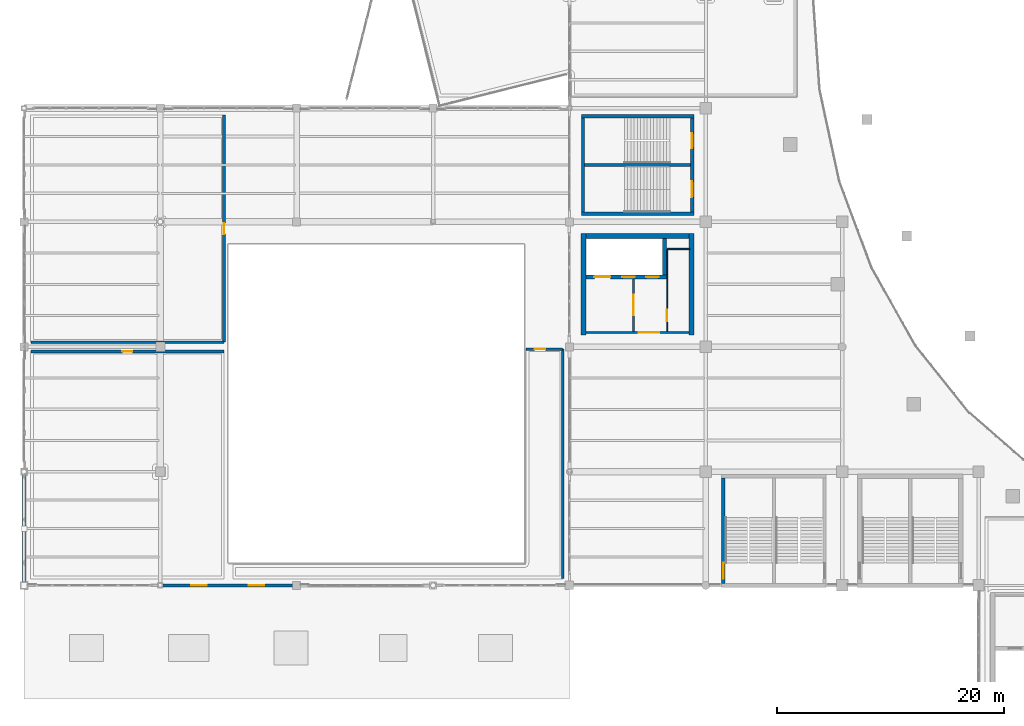
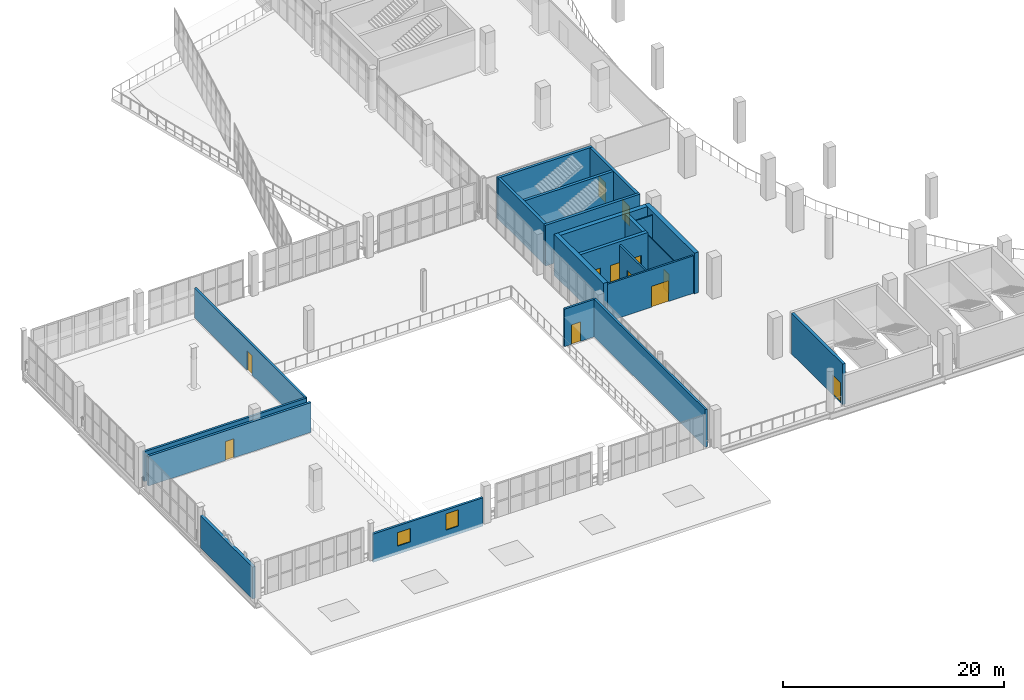
# One storey, part 79 of 108: 22 walls, 12 doors, 2 windows, 14 openings.
"""IFC4 building model written with IfcOpenShell, lengths in metres."""

from ifc_helpers import new_model, si_unit, direction, frame, frame_2d, origin, place, context, subcontext, project, spatial, rectangle, extrude, material, layer, layer_set, type_object, element, fill, save


model = new_model("IFC4")

# Units and contexts
model_context = context("Model", 3, precision=1e-05, world=origin(), true_north=direction((0.0, 1.0)))
body_context = subcontext(model_context, "Body", "Model", "MODEL_VIEW")
ifc_project = project(units=[si_unit("LENGTHUNIT", "METRE"), si_unit("AREAUNIT", "SQUARE_METRE"), si_unit("VOLUMEUNIT", "CUBIC_METRE"), si_unit("PLANEANGLEUNIT", "RADIAN"), si_unit("MASSUNIT", "GRAM", prefix="KILO")], contexts=[model_context])

# Site, building, storey
site_placement = place(None, origin())
site = spatial("IfcSite", under=ifc_project, at=site_placement, CompositionType="ELEMENT")
building_placement = place(site_placement, origin())
building = spatial("IfcBuilding", under=site, at=building_placement, Name="Brinegate Civic Arena", CompositionType="ELEMENT")
storey_placement = place(building_placement, frame((0.0, 0.0, 10.199951171875)))
storey = spatial("IfcBuildingStorey", under=building, at=storey_placement, Name="L02", CompositionType="ELEMENT", Elevation=10.199951171875)

# Wall, openings, doors
ifc_material_1 = material(Name="Concrete C50/60", Category="concrete")
ifc_layer_1 = layer(ifc_material_1, 0.35009765625, Name="Concrete C50/60")
ifc_layer_set_1 = layer_set([ifc_layer_1], Name="Concrete C50/60")
wall_type_1 = type_object("IfcWallType", Name="WALL-CORE-SHEAR-350", PredefinedType="SHEAR", material=ifc_layer_set_1)
wall_1_placement = place(storey_placement, frame((49.47509765625, 37.14990234375, 0.0), z_axis=(0.0, 0.0, 1.0), x_axis=(1.0, 0.0, 0.0)))
wall_1 = element("IfcWall", 1, at=wall_1_placement, inside=storey, type_object=wall_type_1, Name="Core K2 Lift Shaft Front Wall L02 (WBG-12)", PredefinedType="SHEAR", context=body_context, shape_type="SweptSolid", body=[
    extrude(rectangle(XDim=7.0498046875, YDim=0.35009765625, at=frame_2d((3.52490234375, 0.0))), origin(), (0.0, 0.0, 1.0), 4.5),
])
opening_1_placement = place(wall_1_placement, frame((0.72509765625, 0.0, 0.0)))
opening_1 = element("IfcOpeningElement", 2, at=opening_1_placement, cuts=wall_1, Name="Opening LD-FL2-L02", PredefinedType="OPENING", context=body_context, shape_type="SweptSolid", body=[
    extrude(rectangle(XDim=1.39990234375, YDim=2.300048828125, at=frame_2d((0.699951171875, 1.14990234375))), frame((0.0, 0.18505859375, 0.0), z_axis=(0.0, -1.0, 0.0), x_axis=(1.0, 0.0, 0.0)), (0.0, 0.0, 1.0), 0.3701171875),
])
opening_2_placement = place(wall_1_placement, frame((3.175048828125, 0.0, 0.0)))
opening_2 = element("IfcOpeningElement", 3, at=opening_2_placement, cuts=wall_1, Name="Opening LD-PL3-L02", PredefinedType="OPENING", context=body_context, shape_type="SweptSolid", body=[
    extrude(rectangle(XDim=1.10009765625, YDim=2.199951171875, at=frame_2d((0.550048828125, 1.10009765625))), frame((0.0, 0.18505859375, 0.0), z_axis=(0.0, -1.0, 0.0), x_axis=(1.0, 0.0, 0.0)), (0.0, 0.0, 1.0), 0.3701171875),
])
opening_3_placement = place(wall_1_placement, frame((5.27490234375, 0.0, 0.0)))
opening_3 = element("IfcOpeningElement", 4, at=opening_3_placement, cuts=wall_1, Name="Opening LD-PL4-L02", PredefinedType="OPENING", context=body_context, shape_type="SweptSolid", body=[
    extrude(rectangle(XDim=1.10009765625, YDim=2.199951171875, at=frame_2d((0.550048828125, 1.10009765625))), frame((0.0, 0.18505859375, 0.0), z_axis=(0.0, -1.0, 0.0), x_axis=(1.0, 0.0, 0.0)), (0.0, 0.0, 1.0), 0.3701171875),
])
ifc_material_2 = material(Name="Architectural stainless steel balustrade", Category="steel")
door_type_1 = type_object("IfcDoorType", Name="DOOR-LIFT-1100X2200", OperationType="SLIDING_TO_LEFT", PredefinedType="DOOR", material=ifc_material_2)
door_1_placement = place(opening_2_placement, origin())
door_1 = element("IfcDoor", 5, at=door_1_placement, inside=storey, type_object=door_type_1, Name="Sliding Lift Landing Door LD-PL3-L02", OperationType="SLIDING_TO_LEFT", OverallHeight=2.199951171875, OverallWidth=1.10009765625, PredefinedType="DOOR", context=body_context, shape_type="SweptSolid", body=[
    extrude(rectangle(XDim=1.10009765625, YDim=2.199951171875, at=frame_2d((0.550048828125, 1.10009765625))), frame((0.0, 0.02490234375, 0.0), z_axis=(0.0, -1.0, 0.0), x_axis=(1.0, 0.0, 0.0)), (0.0, 0.0, 1.0), 0.050048828125),
])
fill(opening_2, door_1)
door_2_placement = place(opening_3_placement, origin())
door_2 = element("IfcDoor", 6, at=door_2_placement, inside=storey, type_object=door_type_1, Name="Sliding Lift Landing Door LD-PL4-L02", OperationType="SLIDING_TO_LEFT", OverallHeight=2.199951171875, OverallWidth=1.10009765625, PredefinedType="DOOR", context=body_context, shape_type="SweptSolid", body=[
    extrude(rectangle(XDim=1.10009765625, YDim=2.199951171875, at=frame_2d((0.550048828125, 1.10009765625))), frame((0.0, 0.02490234375, 0.0), z_axis=(0.0, -1.0, 0.0), x_axis=(1.0, 0.0, 0.0)), (0.0, 0.0, 1.0), 0.050048828125),
])
fill(opening_3, door_2)
door_type_2 = type_object("IfcDoorType", Name="DOOR-LIFT-1400X2300", OperationType="SLIDING_TO_LEFT", PredefinedType="DOOR", material=ifc_material_2)
door_3_placement = place(opening_1_placement, origin())
door_3 = element("IfcDoor", 7, at=door_3_placement, inside=storey, type_object=door_type_2, Name="Sliding Lift Landing Door LD-FL2-L02", OperationType="SLIDING_TO_LEFT", OverallHeight=2.300048828125, OverallWidth=1.39990234375, PredefinedType="DOOR", context=body_context, shape_type="SweptSolid", body=[
    extrude(rectangle(XDim=1.39990234375, YDim=2.300048828125, at=frame_2d((0.699951171875, 1.14990234375))), frame((0.0, 0.02490234375, 0.0), z_axis=(0.0, -1.0, 0.0), x_axis=(1.0, 0.0, 0.0)), (0.0, 0.0, 1.0), 0.050048828125),
])
fill(opening_1, door_3)

# Walls
wall_2_placement = place(storey_placement, frame((56.35009765625, 37.324951171875, 0.0), z_axis=(0.0, 0.0, 1.0), x_axis=(0.0, 1.0, 0.0)))
element("IfcWall", 8, at=wall_2_placement, inside=storey, type_object=wall_type_1, Name="Core K2 Lift Shaft End Wall L02 (WBG-13)", PredefinedType="SHEAR", context=body_context, shape_type="SweptSolid", body=[
    extrude(rectangle(XDim=3.199951171875, YDim=0.35009765625, at=frame_2d((1.60009765625, 0.0))), origin(), (0.0, 0.0, 1.0), 4.5),
])
ifc_layer_2 = layer(ifc_material_1, 0.449951171875, Name="Concrete C50/60")
ifc_layer_set_2 = layer_set([ifc_layer_2], Name="Concrete C50/60")
wall_type_2 = type_object("IfcWallType", Name="WALL-CORE-SHEAR-450", PredefinedType="SHEAR", material=ifc_layer_set_2)
for number, where, z_axis, x_axis, name in (
    (9, (49.25, 32.02490234375, 0.0), (0.0, 0.0, 1.0), (0.0, 1.0, 0.0), "Core K2 West Shear Wall L02 (WBG-09)"),
    (10, (58.75, 32.02490234375, 0.0), (0.0, 0.0, 1.0), (0.0, 1.0, 0.0), "Core K2 East Shear Wall L02 (WBG-10)"),
):
    element("IfcWall", number, at=place(storey_placement, frame(where, z_axis=z_axis, x_axis=x_axis)), inside=storey, type_object=wall_type_2, Name=name, PredefinedType="SHEAR", context=body_context, shape_type="SweptSolid", body=[
        extrude(rectangle(XDim=8.9501953125, YDim=0.449951171875, at=frame_2d((4.47509765625, 0.0))), origin(), (0.0, 0.0, 1.0), 4.5),
    ])
wall_3_placement = place(storey_placement, frame((49.47509765625, 40.75, 0.0), z_axis=(0.0, 0.0, 1.0), x_axis=(1.0, 0.0, 0.0)))
element("IfcWall", 11, at=wall_3_placement, inside=storey, type_object=wall_type_2, Name="Core K2 North Shear Wall L02 (WBG-11)", PredefinedType="SHEAR", context=body_context, shape_type="SweptSolid", body=[
    extrude(rectangle(XDim=9.0498046875, YDim=0.449951171875, at=frame_2d((4.52490234375, 0.0))), origin(), (0.0, 0.0, 1.0), 4.5),
])

# Wall, openings, windows
ifc_material_3 = material(Name="Concrete C40/50", Category="concrete")
ifc_layer_3 = layer(ifc_material_3, 0.239990234375, Name="Concrete C40/50")
ifc_layer_set_3 = layer_set([ifc_layer_3], Name="Concrete C40/50")
wall_type_3 = type_object("IfcWallType", Name="WALL-EXT-CONC-240", PredefinedType="SOLIDWALL", material=ifc_layer_set_3)
wall_4_placement = place(storey_placement, frame((12.18505859375, 10.0, 0.0), z_axis=(0.0, 0.0, 1.0), x_axis=(1.0, 0.0, 0.0)))
wall_4 = element("IfcWall", 12, at=wall_4_placement, inside=storey, type_object=wall_type_3, Name="Perimeter Window Wall L02-09 (WBA-09)", PredefinedType="SOLIDWALL", context=body_context, shape_type="SweptSolid", body=[
    extrude(rectangle(XDim=11.47998046875, YDim=0.239990234375, at=frame_2d((5.739990234375, 0.0))), origin(), (0.0, 0.0, 1.0), 3.130126953125),
])
opening_4_placement = place(wall_4_placement, frame((2.5390625, 0.0, 0.89990234375)))
opening_4 = element("IfcOpeningElement", 13, at=opening_4_placement, cuts=wall_4, Name="Opening WN-0015", PredefinedType="OPENING", context=body_context, shape_type="SweptSolid", body=[
    extrude(rectangle(XDim=1.35009765625, YDim=1.5, at=frame_2d((0.675048828125, 0.75))), frame((0.0, 0.1298828125, 0.0), z_axis=(0.0, -1.0, 0.0), x_axis=(1.0, 0.0, 0.0)), (0.0, 0.0, 1.0), 0.260009765625),
])
opening_5_placement = place(wall_4_placement, frame((7.591064453125, 0.0, 0.89990234375)))
opening_5 = element("IfcOpeningElement", 14, at=opening_5_placement, cuts=wall_4, Name="Opening WN-0016", PredefinedType="OPENING", context=body_context, shape_type="SweptSolid", body=[
    extrude(rectangle(XDim=1.35009765625, YDim=1.800048828125, at=frame_2d((0.675048828125, 0.89990234375))), frame((0.0, 0.1298828125, 0.0), z_axis=(0.0, -1.0, 0.0), x_axis=(1.0, 0.0, 0.0)), (0.0, 0.0, 1.0), 0.260009765625),
])
ifc_material_4 = material(Name="Hurricane laminated low-E glass", Category="glass")
window_type_1 = type_object("IfcWindowType", Name="WIN-CASEMENT-1350X1500", PartitioningType="SINGLE_PANEL", PredefinedType="WINDOW", material=ifc_material_4)
window_1_placement = place(opening_4_placement, origin())
window_1 = element("IfcWindow", 15, at=window_1_placement, inside=storey, type_object=window_type_1, Name="Window WN-0015", OverallHeight=1.5, OverallWidth=1.35009765625, PartitioningType="SINGLE_PANEL", PredefinedType="WINDOW", context=body_context, shape_type="SweptSolid", body=[
    extrude(rectangle(XDim=1.35009765625, YDim=1.5, at=frame_2d((0.675048828125, 0.75))), frame((0.0, 0.030029296875, 0.0), z_axis=(0.0, -1.0, 0.0), x_axis=(1.0, 0.0, 0.0)), (0.0, 0.0, 1.0), 0.06005859375),
])
fill(opening_4, window_1)
window_type_2 = type_object("IfcWindowType", Name="WIN-CASEMENT-1350X1800", PartitioningType="SINGLE_PANEL", PredefinedType="WINDOW", material=ifc_material_4)
window_2_placement = place(opening_5_placement, origin())
window_2 = element("IfcWindow", 16, at=window_2_placement, inside=storey, type_object=window_type_2, Name="Window WN-0016", OverallHeight=1.800048828125, OverallWidth=1.35009765625, PartitioningType="SINGLE_PANEL", PredefinedType="WINDOW", context=body_context, shape_type="SweptSolid", body=[
    extrude(rectangle(XDim=1.35009765625, YDim=1.800048828125, at=frame_2d((0.675048828125, 0.89990234375))), frame((0.0, 0.030029296875, 0.0), z_axis=(0.0, -1.0, 0.0), x_axis=(1.0, 0.0, 0.0)), (0.0, 0.0, 1.0), 0.06005859375),
])
fill(opening_5, window_2)

# Wall
ifc_material_5 = material(Name="Precast concrete C45/55", Category="concrete")
ifc_layer_4 = layer(ifc_material_5, 0.31494140625, Name="Precast concrete C45/55")
ifc_layer_set_4 = layer_set([ifc_layer_4], Name="Precast concrete C45/55")
wall_type_4 = type_object("IfcWallType", Name="WALL-EXT-PRECAST-315", PredefinedType="SOLIDWALL", material=ifc_layer_set_4)
wall_5_placement = place(storey_placement, frame((0.0, 10.3349609375, 0.0), z_axis=(0.0, 0.0, 1.0), x_axis=(0.0, 1.0, 0.0)))
element("IfcWall", 17, at=wall_5_placement, inside=storey, type_object=wall_type_4, Name="Braced Bay Solid Precast Wall L02-03 (WBA-44)", PredefinedType="SOLIDWALL", context=body_context, shape_type="SweptSolid", body=[
    extrude(rectangle(XDim=9.426025390625, YDim=0.31494140625, at=frame_2d((4.712890625, 0.0))), origin(), (0.0, 0.0, 1.0), 3.51904296875),
])

# Wall, opening, door
ifc_layer_5 = layer(ifc_material_3, 0.2099609375, Name="Concrete C40/50")
ifc_layer_set_5 = layer_set([ifc_layer_5], Name="Concrete C40/50")
wall_type_5 = type_object("IfcWallType", Name="WALL-INT-SOLID-210", PredefinedType="SOLIDWALL", material=ifc_layer_set_5)
wall_6_placement = place(storey_placement, frame((44.199951171875, 30.800048828125, 0.0), z_axis=(0.0, 0.0, 1.0), x_axis=(1.0, 0.0, 0.0)))
wall_6 = element("IfcWall", 18, at=wall_6_placement, inside=storey, type_object=wall_type_5, Name="Event Management Office Suite Partition Wall E11 (WBJ-27)", PredefinedType="SOLIDWALL", context=body_context, shape_type="SweptSolid", body=[
    extrude(rectangle(XDim=3.199951171875, YDim=0.2099609375, at=frame_2d((1.60009765625, 0.0))), origin(), (0.0, 0.0, 1.0), 4.150146484375),
])
opening_6_placement = place(wall_6_placement, frame((0.740966796875, 0.0, 0.0)))
opening_6 = element("IfcOpeningElement", 19, at=opening_6_placement, cuts=wall_6, Name="Opening D-L02-186", PredefinedType="OPENING", context=body_context, shape_type="SweptSolid", body=[
    extrude(rectangle(XDim=0.949951171875, YDim=2.14990234375, at=frame_2d((0.47509765625, 1.074951171875))), frame((0.0, 0.114990234375, 0.0), z_axis=(0.0, -1.0, 0.0), x_axis=(1.0, 0.0, 0.0)), (0.0, 0.0, 1.0), 0.22998046875),
])
ifc_material_6 = material(Name="Hardwood acoustic timber door", Category="wood")
door_type_3 = type_object("IfcDoorType", Name="DOOR-OFFICE-950X2150", OperationType="NOTDEFINED", PredefinedType="DOOR", material=ifc_material_6)
door_4_placement = place(opening_6_placement, origin())
door_4 = element("IfcDoor", 20, at=door_4_placement, inside=storey, type_object=door_type_3, Name="Event Management Office Suite Door D-L02-186", OperationType="SINGLE_SWING_LEFT", OverallHeight=2.14990234375, OverallWidth=0.949951171875, PredefinedType="DOOR", context=body_context, shape_type="SweptSolid", body=[
    extrude(rectangle(XDim=0.949951171875, YDim=2.14990234375, at=frame_2d((0.47509765625, 1.074951171875))), frame((0.0, 0.02490234375, 0.0), z_axis=(0.0, -1.0, 0.0), x_axis=(1.0, 0.0, 0.0)), (0.0, 0.0, 1.0), 0.050048828125),
])
fill(opening_6, door_4)

# Wall
wall_7_placement = place(storey_placement, frame((47.39990234375, 30.800048828125, 0.0), z_axis=(0.0, 0.0, 1.0), x_axis=(0.0, -1.0, 0.0)))
element("IfcWall", 21, at=wall_7_placement, inside=storey, type_object=wall_type_5, Name="Event Management Office Suite Partition Wall E12 (WBJ-28)", PredefinedType="SOLIDWALL", context=body_context, shape_type="SweptSolid", body=[
    extrude(rectangle(XDim=20.199951171875, YDim=0.2099609375, at=frame_2d((10.10009765625, 0.0))), origin(), (0.0, 0.0, 1.0), 4.150146484375),
])

# Wall, opening, door
ifc_layer_6 = layer(ifc_material_3, 0.22998046875, Name="Concrete C40/50")
ifc_layer_set_6 = layer_set([ifc_layer_6], Name="Concrete C40/50")
wall_type_6 = type_object("IfcWallType", Name="WALL-INT-SOLID-230", PredefinedType="SOLIDWALL", material=ifc_layer_set_6)
wall_8_placement = place(storey_placement, frame((17.60009765625, 51.39990234375, 0.0), z_axis=(0.0, 0.0, 1.0), x_axis=(0.0, -1.0, 0.0)))
wall_8 = element("IfcWall", 22, at=wall_8_placement, inside=storey, type_object=wall_type_6, Name="Venue Operations and Security Control Suite Partition Wall E1 (WBJ-25)", PredefinedType="SOLIDWALL", context=body_context, shape_type="SweptSolid", body=[
    extrude(rectangle(XDim=20.0, YDim=0.22998046875, at=frame_2d((10.0, 0.0))), origin(), (0.0, 0.0, 1.0), 3.280029296875),
])
opening_7_placement = place(wall_8_placement, frame((9.52490234375, 0.0, 0.0)))
opening_7 = element("IfcOpeningElement", 23, at=opening_7_placement, cuts=wall_8, Name="Opening D-L02-185", PredefinedType="OPENING", context=body_context, shape_type="SweptSolid", body=[
    extrude(rectangle(XDim=0.949951171875, YDim=2.14990234375, at=frame_2d((0.47509765625, 1.074951171875))), frame((0.0, 0.125, 0.0), z_axis=(0.0, -1.0, 0.0), x_axis=(1.0, 0.0, 0.0)), (0.0, 0.0, 1.0), 0.25),
])
door_5_placement = place(opening_7_placement, origin())
door_5 = element("IfcDoor", 24, at=door_5_placement, inside=storey, type_object=door_type_3, Name="Venue Operations and Security Control Suite Door D-L02-185", OperationType="SINGLE_SWING_RIGHT", OverallHeight=2.14990234375, OverallWidth=0.949951171875, PredefinedType="DOOR", context=body_context, shape_type="SweptSolid", body=[
    extrude(rectangle(XDim=0.949951171875, YDim=2.14990234375, at=frame_2d((0.47509765625, 1.074951171875))), frame((0.0, 0.02490234375, 0.0), z_axis=(0.0, -1.0, 0.0), x_axis=(1.0, 0.0, 0.0)), (0.0, 0.0, 1.0), 0.050048828125),
])
fill(opening_7, door_5)

# Wall
wall_9_placement = place(storey_placement, frame((17.60009765625, 31.39990234375, 0.0), z_axis=(0.0, 0.0, 1.0), x_axis=(-1.0, 0.0, 0.0)))
element("IfcWall", 25, at=wall_9_placement, inside=storey, type_object=wall_type_6, Name="Venue Operations and Security Control Suite Partition Wall E2 (WBJ-26)", PredefinedType="SOLIDWALL", context=body_context, shape_type="SweptSolid", body=[
    extrude(rectangle(XDim=17.0, YDim=0.22998046875, at=frame_2d((8.5, 0.0))), origin(), (0.0, 0.0, 1.0), 3.280029296875),
])

# Wall, opening, door
ifc_layer_7 = layer(ifc_material_3, 0.25, Name="Concrete C40/50")
ifc_layer_set_7 = layer_set([ifc_layer_7], Name="Concrete C40/50")
wall_type_7 = type_object("IfcWallType", Name="WALL-INT-SOLID-250", PredefinedType="SOLIDWALL", material=ifc_layer_set_7)
wall_10_placement = place(storey_placement, frame((0.60009765625, 30.60009765625, 0.0), z_axis=(0.0, 0.0, 1.0), x_axis=(1.0, 0.0, 0.0)))
wall_10 = element("IfcWall", 26, at=wall_10_placement, inside=storey, type_object=wall_type_7, Name="Community Hall Upper Viewing Gallery Partition Wall E4 (WBJ-24)", PredefinedType="SOLIDWALL", context=body_context, shape_type="SweptSolid", body=[
    extrude(rectangle(XDim=17.0, YDim=0.25, at=frame_2d((8.5, 0.0))), origin(), (0.0, 0.0, 1.0), 3.280029296875),
])
opening_8_placement = place(wall_10_placement, frame((8.050048828125, 0.0, 0.0)))
opening_8 = element("IfcOpeningElement", 27, at=opening_8_placement, cuts=wall_10, Name="Opening D-L02-184", PredefinedType="OPENING", context=body_context, shape_type="SweptSolid", body=[
    extrude(rectangle(XDim=0.89990234375, YDim=2.10009765625, at=frame_2d((0.449951171875, 1.050048828125))), frame((0.0, 0.135009765625, 0.0), z_axis=(0.0, -1.0, 0.0), x_axis=(1.0, 0.0, 0.0)), (0.0, 0.0, 1.0), 0.27001953125),
])
door_type_4 = type_object("IfcDoorType", Name="DOOR-WC-900X2100", OperationType="NOTDEFINED", PredefinedType="DOOR", material=ifc_material_6)
door_6_placement = place(opening_8_placement, origin())
door_6 = element("IfcDoor", 28, at=door_6_placement, inside=storey, type_object=door_type_4, Name="Community Hall Upper Viewing Gallery Door D-L02-184", OperationType="SINGLE_SWING_LEFT", OverallHeight=2.10009765625, OverallWidth=0.89990234375, PredefinedType="DOOR", context=body_context, shape_type="SweptSolid", body=[
    extrude(rectangle(XDim=0.89990234375, YDim=2.10009765625, at=frame_2d((0.449951171875, 1.050048828125))), frame((0.0, 0.02490234375, 0.0), z_axis=(0.0, -1.0, 0.0), x_axis=(1.0, 0.0, 0.0)), (0.0, 0.0, 1.0), 0.050048828125),
])
fill(opening_8, door_6)

ifc_material_7 = material(Name="Concrete blockwork masonry", Category="masonry")
ifc_layer_8 = layer(ifc_material_7, 0.18994140625, Name="Concrete blockwork masonry")
ifc_layer_set_8 = layer_set([ifc_layer_8], Name="Concrete blockwork masonry")
wall_type_8 = type_object("IfcWallType", Name="WALL-PART-RATED-190", PredefinedType="PARTITIONING", material=ifc_layer_set_8)
wall_11_placement = place(storey_placement, frame((49.469970703125, 32.25, 0.0), z_axis=(0.0, 0.0, 1.0), x_axis=(1.0, 0.0, 0.0)))
wall_11 = element("IfcWall", 29, at=wall_11_placement, inside=storey, type_object=wall_type_8, Name="Core K2 Concourse Lobby Wall L02 (WBG-14)", PredefinedType="PARTITIONING", context=body_context, shape_type="SweptSolid", body=[
    extrude(rectangle(XDim=9.06005859375, YDim=0.18994140625, at=frame_2d((4.530029296875, 0.0))), origin(), (0.0, 0.0, 1.0), 4.150146484375),
])
opening_9_placement = place(wall_11_placement, frame((4.64990234375, 0.0, 0.0)))
opening_9 = element("IfcOpeningElement", 30, at=opening_9_placement, cuts=wall_11, Name="Opening D-K2L-L02", PredefinedType="OPENING", context=body_context, shape_type="SweptSolid", body=[
    extrude(rectangle(XDim=1.800048828125, YDim=2.300048828125, at=frame_2d((0.89990234375, 1.14990234375))), frame((0.0, 0.10498046875, 0.0), z_axis=(0.0, -1.0, 0.0), x_axis=(1.0, 0.0, 0.0)), (0.0, 0.0, 1.0), 0.2099609375),
])
ifc_material_8 = material(Name="Marine grade aluminium", Category="aluminium")
door_type_5 = type_object("IfcDoorType", Name="DOOR-CONC-1800X2300", OperationType="NOTDEFINED", PredefinedType="DOOR", material=ifc_material_8)
door_7_placement = place(opening_9_placement, origin())
door_7 = element("IfcDoor", 31, at=door_7_placement, inside=storey, type_object=door_type_5, Name="Lift Lobby Door D-K2L-L02", OperationType="DOUBLE_DOOR_SINGLE_SWING", OverallHeight=2.300048828125, OverallWidth=1.800048828125, PredefinedType="DOOR", context=body_context, shape_type="SweptSolid", body=[
    extrude(rectangle(XDim=1.800048828125, YDim=2.300048828125, at=frame_2d((0.89990234375, 1.14990234375))), frame((0.0, 0.02490234375, 0.0), z_axis=(0.0, -1.0, 0.0), x_axis=(1.0, 0.0, 0.0)), (0.0, 0.0, 1.0), 0.050048828125),
])
fill(opening_9, door_7)

wall_12_placement = place(storey_placement, frame((53.64990234375, 32.35009765625, 0.0), z_axis=(0.0, 0.0, 1.0), x_axis=(0.0, 1.0, 0.0)))
wall_12 = element("IfcWall", 32, at=wall_12_placement, inside=storey, type_object=wall_type_8, Name="Firefighting Lobby K2 Wall L02 (WBG-15)", PredefinedType="PARTITIONING", context=body_context, shape_type="SweptSolid", body=[
    extrude(rectangle(XDim=4.625, YDim=0.18994140625, at=frame_2d((2.3125, 0.0))), origin(), (0.0, 0.0, 1.0), 4.150146484375),
])
opening_10_placement = place(wall_12_placement, frame((1.4130859375, 0.0, 0.0)))
opening_10 = element("IfcOpeningElement", 33, at=opening_10_placement, cuts=wall_12, Name="Opening D-K2F-L02", PredefinedType="OPENING", context=body_context, shape_type="SweptSolid", body=[
    extrude(rectangle(XDim=1.800048828125, YDim=2.199951171875, at=frame_2d((0.89990234375, 1.10009765625))), frame((0.0, 0.10498046875, 0.0), z_axis=(0.0, -1.0, 0.0), x_axis=(1.0, 0.0, 0.0)), (0.0, 0.0, 1.0), 0.2099609375),
])
ifc_material_9 = material(Name="Galvanized hurricane steel", Category="steel")
door_type_6 = type_object("IfcDoorType", Name="DOOR-FFLOB-1800X2200", OperationType="NOTDEFINED", PredefinedType="DOOR", material=ifc_material_9)
door_8_placement = place(opening_10_placement, origin())
door_8 = element("IfcDoor", 34, at=door_8_placement, inside=storey, type_object=door_type_6, Name="Firefighting Lift Lobby Door D-K2F-L02", OperationType="DOUBLE_DOOR_SINGLE_SWING", OverallHeight=2.199951171875, OverallWidth=1.800048828125, PredefinedType="DOOR", context=body_context, shape_type="SweptSolid", body=[
    extrude(rectangle(XDim=1.800048828125, YDim=2.199951171875, at=frame_2d((0.89990234375, 1.10009765625))), frame((0.0, 0.02490234375, 0.0), z_axis=(0.0, -1.0, 0.0), x_axis=(1.0, 0.0, 0.0)), (0.0, 0.0, 1.0), 0.050048828125),
])
fill(opening_10, door_8)

ifc_layer_9 = layer(ifc_material_7, 0.10009765625, Name="Concrete blockwork masonry")
ifc_layer_set_9 = layer_set([ifc_layer_9], Name="Concrete blockwork masonry")
wall_type_9 = type_object("IfcWallType", Name="WALL-PART-WET-100", PredefinedType="PARTITIONING", material=ifc_layer_set_9)
wall_13_placement = place(storey_placement, frame((56.60009765625, 32.35009765625, 0.0), z_axis=(0.0, 0.0, 1.0), x_axis=(0.0, 1.0, 0.0)))
wall_13 = element("IfcWall", 35, at=wall_13_placement, inside=storey, type_object=wall_type_9, Name="Accessible WC K2 Partition L02 (WBG-16)", PredefinedType="PARTITIONING", context=body_context, shape_type="SweptSolid", body=[
    extrude(rectangle(XDim=7.25, YDim=0.10009765625, at=frame_2d((3.625, 0.0))), origin(), (0.0, 0.0, 1.0), 4.150146484375),
])
opening_11_placement = place(wall_13_placement, frame((0.89990234375, 0.0, 0.0)))
opening_11 = element("IfcOpeningElement", 36, at=opening_11_placement, cuts=wall_13, Name="Opening D-K2W-L02", PredefinedType="OPENING", context=body_context, shape_type="SweptSolid", body=[
    extrude(rectangle(XDim=1.0, YDim=2.10009765625, at=frame_2d((0.5, 1.050048828125))), frame((0.0, 0.06005859375, 0.0), z_axis=(0.0, -1.0, 0.0), x_axis=(1.0, 0.0, 0.0)), (0.0, 0.0, 1.0), 0.1201171875),
])
door_type_7 = type_object("IfcDoorType", Name="DOOR-AWC-1000X2100", OperationType="NOTDEFINED", PredefinedType="DOOR", material=ifc_material_6)
door_9_placement = place(opening_11_placement, origin())
door_9 = element("IfcDoor", 37, at=door_9_placement, inside=storey, type_object=door_type_7, Name="Accessible WC Door D-K2W-L02", OperationType="SINGLE_SWING_LEFT", OverallHeight=2.10009765625, OverallWidth=1.0, PredefinedType="DOOR", context=body_context, shape_type="SweptSolid", body=[
    extrude(rectangle(XDim=1.0, YDim=2.10009765625, at=frame_2d((0.5, 1.050048828125))), frame((0.0, 0.02490234375, 0.0), z_axis=(0.0, -1.0, 0.0), x_axis=(1.0, 0.0, 0.0)), (0.0, 0.0, 1.0), 0.050048828125),
])
fill(opening_11, door_9)

# Wall
wall_14_placement = place(storey_placement, frame((56.60009765625, 39.60009765625, 0.0), z_axis=(0.0, 0.0, 1.0), x_axis=(1.0, 0.0, 0.0)))
element("IfcWall", 38, at=wall_14_placement, inside=storey, type_object=wall_type_9, Name="Accessible WC K2 Back Partition L02 (WBG-17)", PredefinedType="PARTITIONING", context=body_context, shape_type="SweptSolid", body=[
    extrude(rectangle(XDim=2.0, YDim=0.10009765625, at=frame_2d((1.0, 0.0))), origin(), (0.0, 0.0, 1.0), 4.150146484375),
])

# Wall, opening, door
ifc_layer_10 = layer(ifc_material_1, 0.2900390625, Name="Concrete C50/60")
ifc_layer_set_10 = layer_set([ifc_layer_10], Name="Concrete C50/60")
wall_type_10 = type_object("IfcWallType", Name="WALL-STAIR-SHEAR-290", PredefinedType="SHEAR", material=ifc_layer_set_10)
wall_15_placement = place(storey_placement, frame((61.550048828125, 10.175048828125, 0.0), z_axis=(0.0, 0.0, 1.0), x_axis=(0.0, 1.0, 0.0)))
wall_15 = element("IfcWall", 39, at=wall_15_placement, inside=storey, type_object=wall_type_10, Name="Stair ST-02 West Shear Wall L02 (WBB-44)", PredefinedType="SHEAR", context=body_context, shape_type="SweptSolid", body=[
    extrude(rectangle(XDim=9.280029296875, YDim=0.2900390625, at=frame_2d((4.64013671875, 0.0))), origin(), (0.0, 0.0, 1.0), 4.5),
])
opening_12_placement = place(wall_15_placement, frame((0.425048828125, 0.0, 0.0)))
opening_12 = element("IfcOpeningElement", 40, at=opening_12_placement, cuts=wall_15, Name="Opening D-ST02A-L02", PredefinedType="OPENING", context=body_context, shape_type="SweptSolid", body=[
    extrude(rectangle(XDim=1.39990234375, YDim=2.199951171875, at=frame_2d((0.699951171875, 1.10009765625))), frame((0.0, 0.155029296875, 0.0), z_axis=(0.0, -1.0, 0.0), x_axis=(1.0, 0.0, 0.0)), (0.0, 0.0, 1.0), 0.31005859375),
])
door_type_8 = type_object("IfcDoorType", Name="DOOR-STAIR-2400X2200", OperationType="NOTDEFINED", PredefinedType="DOOR", material=ifc_material_9)
door_10_placement = place(opening_12_placement, frame((1.39990234375, 0.0, 0.0), z_axis=(0.0, 0.0, 1.0), x_axis=(-1.0, 0.0, 0.0)))
door_10 = element("IfcDoor", 41, at=door_10_placement, inside=storey, type_object=door_type_8, Name="Protected Exit Stair Door D-ST02A-L02", OperationType="DOUBLE_DOOR_SINGLE_SWING", OverallHeight=2.199951171875, OverallWidth=1.39990234375, PredefinedType="DOOR", context=body_context, shape_type="SweptSolid", body=[
    extrude(rectangle(XDim=1.39990234375, YDim=2.199951171875, at=frame_2d((0.699951171875, 1.10009765625))), frame((0.0, 0.02490234375, 0.0), z_axis=(0.0, -1.0, 0.0), x_axis=(1.0, 0.0, 0.0)), (0.0, 0.0, 1.0), 0.050048828125),
])
fill(opening_12, door_10)

# Walls
for number, where, z_axis, x_axis, name in (
    (42, (49.054931640625, 42.699951171875, 0.0), (0.0, 0.0, 1.0), (1.0, 0.0, 0.0), "Stair ST-08 South Shear Wall L02 (WBD-09)"),
    (43, (49.054931640625, 51.300048828125, 0.0), (0.0, 0.0, 1.0), (1.0, 0.0, 0.0), "Stair ST-08 North Shear Wall L02 (WBD-10)"),
):
    element("IfcWall", number, at=place(storey_placement, frame(where, z_axis=z_axis, x_axis=x_axis)), inside=storey, type_object=wall_type_10, Name=name, PredefinedType="SHEAR", context=body_context, shape_type="SweptSolid", body=[
        extrude(rectangle(XDim=9.89013671875, YDim=0.2900390625, at=frame_2d((4.945068359375, 0.0))), origin(), (0.0, 0.0, 1.0), 4.5),
    ])
wall_16_placement = place(storey_placement, frame((49.199951171875, 42.844970703125, 0.0), z_axis=(0.0, 0.0, 1.0), x_axis=(0.0, 1.0, 0.0)))
element("IfcWall", 44, at=wall_16_placement, inside=storey, type_object=wall_type_10, Name="Stair ST-08 West Shear Wall L02 (WBD-11)", PredefinedType="SHEAR", context=body_context, shape_type="SweptSolid", body=[
    extrude(rectangle(XDim=8.31005859375, YDim=0.2900390625, at=frame_2d((4.155029296875, 0.0))), origin(), (0.0, 0.0, 1.0), 4.5),
])

# Wall, openings, doors
wall_17_placement = place(storey_placement, frame((58.800048828125, 42.844970703125, 0.0), z_axis=(0.0, 0.0, 1.0), x_axis=(0.0, 1.0, 0.0)))
wall_17 = element("IfcWall", 45, at=wall_17_placement, inside=storey, type_object=wall_type_10, Name="Stair ST-08 East Shear Wall L02 (WBD-12)", PredefinedType="SHEAR", context=body_context, shape_type="SweptSolid", body=[
    extrude(rectangle(XDim=8.31005859375, YDim=0.2900390625, at=frame_2d((4.155029296875, 0.0))), origin(), (0.0, 0.0, 1.0), 4.5),
])
opening_13_placement = place(wall_17_placement, frame((1.304931640625, 0.0, 0.0)))
opening_13 = element("IfcOpeningElement", 46, at=opening_13_placement, cuts=wall_17, Name="Opening D-ST08A-L02", PredefinedType="OPENING", context=body_context, shape_type="SweptSolid", body=[
    extrude(rectangle(XDim=1.39990234375, YDim=2.199951171875, at=frame_2d((0.699951171875, 1.10009765625))), frame((0.0, 0.155029296875, 0.0), z_axis=(0.0, -1.0, 0.0), x_axis=(1.0, 0.0, 0.0)), (0.0, 0.0, 1.0), 0.31005859375),
])
opening_14_placement = place(wall_17_placement, frame((5.64501953125, 0.0, 0.0)))
opening_14 = element("IfcOpeningElement", 47, at=opening_14_placement, cuts=wall_17, Name="Opening D-ST08B-L02", PredefinedType="OPENING", context=body_context, shape_type="SweptSolid", body=[
    extrude(rectangle(XDim=1.320068359375, YDim=2.199951171875, at=frame_2d((0.66015625, 1.10009765625))), frame((0.0, 0.155029296875, 0.0), z_axis=(0.0, -1.0, 0.0), x_axis=(1.0, 0.0, 0.0)), (0.0, 0.0, 1.0), 0.31005859375),
])
door_type_9 = type_object("IfcDoorType", Name="DOOR-STAIR-2200X2200", OperationType="NOTDEFINED", PredefinedType="DOOR", material=ifc_material_9)
door_11_placement = place(opening_14_placement, origin())
door_11 = element("IfcDoor", 48, at=door_11_placement, inside=storey, type_object=door_type_9, Name="Protected Exit Stair Door D-ST08B-L02", OperationType="DOUBLE_DOOR_SINGLE_SWING", OverallHeight=2.199951171875, OverallWidth=1.320068359375, PredefinedType="DOOR", context=body_context, shape_type="SweptSolid", body=[
    extrude(rectangle(XDim=1.320068359375, YDim=2.199951171875, at=frame_2d((0.66015625, 1.10009765625))), frame((0.0, 0.02490234375, 0.0), z_axis=(0.0, -1.0, 0.0), x_axis=(1.0, 0.0, 0.0)), (0.0, 0.0, 1.0), 0.050048828125),
])
fill(opening_14, door_11)
door_12_placement = place(opening_13_placement, origin())
door_12 = element("IfcDoor", 49, at=door_12_placement, inside=storey, type_object=door_type_8, Name="Protected Exit Stair Door D-ST08A-L02", OperationType="DOUBLE_DOOR_SINGLE_SWING", OverallHeight=2.199951171875, OverallWidth=1.39990234375, PredefinedType="DOOR", context=body_context, shape_type="SweptSolid", body=[
    extrude(rectangle(XDim=1.39990234375, YDim=2.199951171875, at=frame_2d((0.699951171875, 1.10009765625))), frame((0.0, 0.02490234375, 0.0), z_axis=(0.0, -1.0, 0.0), x_axis=(1.0, 0.0, 0.0)), (0.0, 0.0, 1.0), 0.050048828125),
])
fill(opening_13, door_12)

# Wall
wall_18_placement = place(storey_placement, frame((49.344970703125, 47.0, 0.0), z_axis=(0.0, 0.0, 1.0), x_axis=(1.0, 0.0, 0.0)))
element("IfcWall", 50, at=wall_18_placement, inside=storey, type_object=wall_type_10, Name="Stair ST-08 Central Dividing Shear Wall L02 (WBD-13)", PredefinedType="SHEAR", context=body_context, shape_type="SweptSolid", body=[
    extrude(rectangle(XDim=9.31005859375, YDim=0.2900390625, at=frame_2d((4.655029296875, 0.0))), origin(), (0.0, 0.0, 1.0), 4.5),
])

save(model, "model.ifc")
